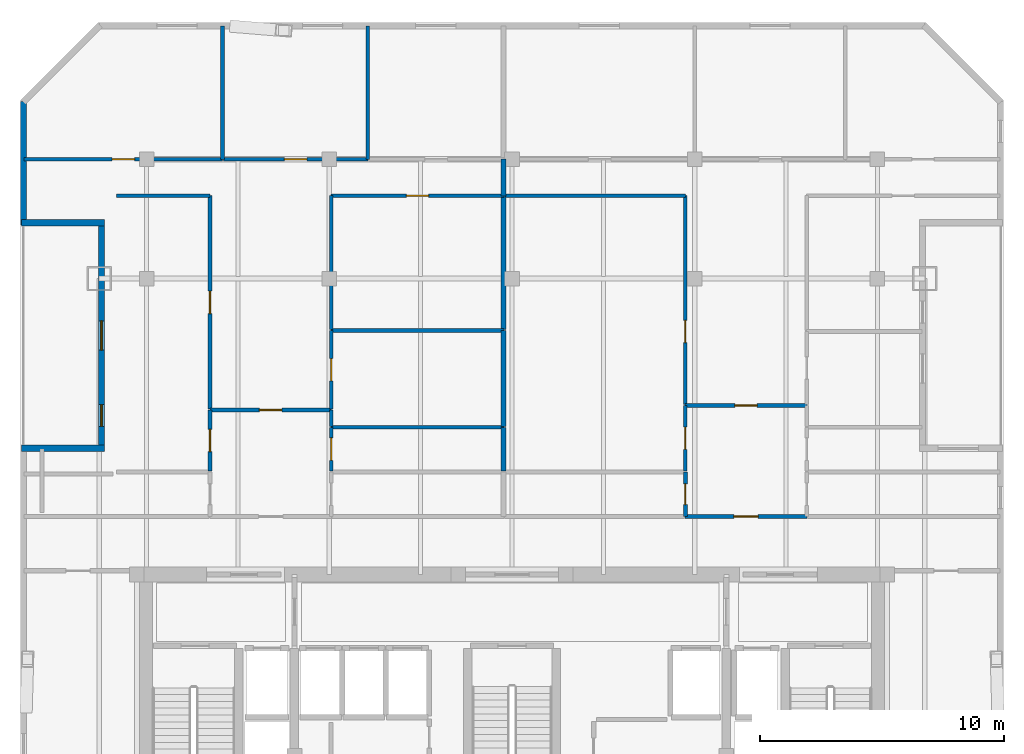
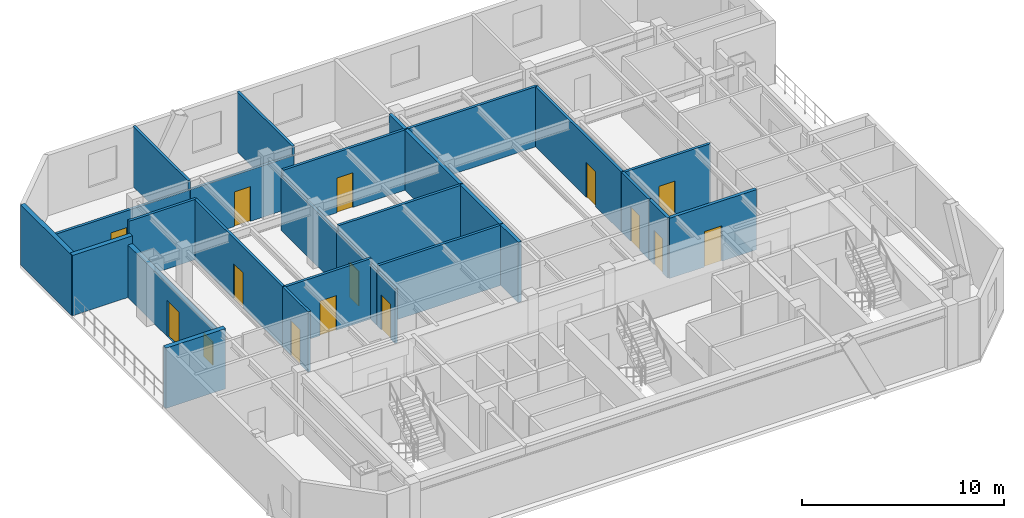
# One storey, part 4 of 7: 29 walls, 14 doors, 1 window, 15 openings.
"""IFC4 building model written with IfcOpenShell, lengths in metres."""

from ifc_helpers import new_model, si_unit, direction, frame, frame_2d, origin, place, context, subcontext, project, spatial, rectangle, extrude, material, layer, layer_set, type_object, element, fill, save


model = new_model("IFC4")

# Units and contexts
model_context = context("Model", 3, precision=1e-05, world=origin(), true_north=direction((0.0, 1.0)))
body_context = subcontext(model_context, "Body", "Model", "MODEL_VIEW")
ifc_project = project(units=[si_unit("LENGTHUNIT", "METRE"), si_unit("AREAUNIT", "SQUARE_METRE"), si_unit("VOLUMEUNIT", "CUBIC_METRE"), si_unit("PLANEANGLEUNIT", "RADIAN"), si_unit("MASSUNIT", "GRAM", prefix="KILO")], contexts=[model_context])

# Site, building, storey
site_placement = place(None, origin())
site = spatial("IfcSite", under=ifc_project, at=site_placement, CompositionType="ELEMENT")
building_placement = place(site_placement, origin())
building = spatial("IfcBuilding", under=site, at=building_placement, Name="Ventersveld Concourse Tower", CompositionType="ELEMENT")
storey_placement = place(building_placement, frame((0.0, 0.0, 292.60009765625)))
storey = spatial("IfcBuildingStorey", under=building, at=storey_placement, Name="L72", CompositionType="ELEMENT", Elevation=292.60009765625)

# Wall, opening, door
ifc_material_1 = material(Name="Fire-rated autoclaved aerated masonry blockwork", Category="masonry")
ifc_layer_1 = layer(ifc_material_1, 0.179931640625)
ifc_layer_set_1 = layer_set([ifc_layer_1], Name="Fire-rated autoclaved aerated masonry blockwork")
wall_type_1 = type_object("IfcWallType", Name="WL-CORR-180", PredefinedType="PARTITIONING", material=ifc_layer_set_1)
wall_1_placement = place(storey_placement, frame((35.862060546875, 13.830078125, 0.0), z_axis=(0.0, 0.0, 1.0), x_axis=(1.0, 0.0, 0.0)))
wall_1 = element("IfcWall", 1, at=wall_1_placement, inside=storey, type_object=wall_type_1, Name="L72 Interior Partition SP-L72-COR-SP-L72-72N2-FOY", PredefinedType="PARTITIONING", context=body_context, shape_type="SweptSolid", body=[
    extrude(rectangle(XDim=4.989990234375, YDim=0.179931640625, at=frame_2d((2.4951171875, 0.0))), origin(), (0.0, 0.0, 1.0), 3.64990234375),
])
opening_1_placement = place(wall_1_placement, frame((1.9951171875, 0.0, 0.0)))
opening_1 = element("IfcOpeningElement", 2, at=opening_1_placement, cuts=wall_1, Name="Opening FD3", PredefinedType="OPENING", context=body_context, shape_type="SweptSolid", body=[
    extrude(rectangle(XDim=1.0, YDim=2.14990234375, at=frame_2d((0.5, 1.074951171875))), frame((0.0, 0.10009765625, 0.0), z_axis=(0.0, -1.0, 0.0), x_axis=(1.0, 0.0, 0.0)), (0.0, 0.0, 1.0), 0.199951171875),
])
ifc_material_2 = material(Name="Solid-core hardwood veneer timber", Category="wood")
door_type_1 = type_object("IfcDoorType", Name="DR-FLAT-100", OperationType="NOTDEFINED", PredefinedType="DOOR", material=ifc_material_2)
door_1_placement = place(opening_1_placement, origin())
door_1 = element("IfcDoor", 3, at=door_1_placement, inside=storey, type_object=door_type_1, Name="L72 Interior Door SP-L72-COR to SP-L72-72N2-FOY (FD-L72-3344)", OperationType="SINGLE_SWING_RIGHT", OverallHeight=2.14990234375, OverallWidth=1.0, PredefinedType="DOOR", context=body_context, shape_type="SweptSolid", body=[
    extrude(rectangle(XDim=1.0, YDim=2.14990234375, at=frame_2d((0.5, 1.074951171875))), frame((0.0, 0.02490234375, 0.0), z_axis=(0.0, -1.0, 0.0), x_axis=(1.0, 0.0, 0.0)), (0.0, 0.0, 1.0), 0.050048828125),
])
fill(opening_1, door_1)

# Walls
ifc_layer_2 = layer(ifc_material_1, 0.199951171875)
ifc_layer_set_2 = layer_set([ifc_layer_2], Name="Fire-rated autoclaved aerated masonry blockwork")
wall_type_2 = type_object("IfcWallType", Name="WL-DEMISE-200", PredefinedType="PARTITIONING", material=ifc_layer_set_2)
wall_2_placement = place(storey_placement, frame((28.40771484375, 26.9951171875, 0.0), z_axis=(0.0, 0.0, 1.0), x_axis=(0.0, 1.0, 0.0)))
element("IfcWall", 4, at=wall_2_placement, inside=storey, type_object=wall_type_2, Name="L72 Interior Partition SP-L72-72N1-LIV-SP-L72-72N2-LIV", PredefinedType="PARTITIONING", context=body_context, shape_type="SweptSolid", body=[
    extrude(rectangle(XDim=1.509765625, YDim=0.199951171875, at=frame_2d((0.7548828125, 0.0))), origin(), (0.0, 0.0, 1.0), 3.64990234375),
])
wall_3_placement = place(storey_placement, frame((28.40771484375, 15.695068359375, 0.0), z_axis=(0.0, 0.0, 1.0), x_axis=(0.0, 1.0, 0.0)))
element("IfcWall", 5, at=wall_3_placement, inside=storey, type_object=wall_type_2, Name="L72 Interior Partition SP-L72-72N1-PANR1-SP-L72-72N2-OFFL0", PredefinedType="PARTITIONING", context=body_context, shape_type="SweptSolid", body=[
    extrude(rectangle(XDim=1.800048828125, YDim=0.199951171875, at=frame_2d((0.89990234375, 0.0))), origin(), (0.0, 0.0, 1.0), 3.64990234375),
])
wall_4_placement = place(storey_placement, frame((28.40771484375, 17.52490234375, 0.0), z_axis=(0.0, 0.0, 1.0), x_axis=(0.0, 1.0, 0.0)))
element("IfcWall", 6, at=wall_4_placement, inside=storey, type_object=wall_type_2, Name="L72 Interior Partition SP-L72-72N1-DENR-SP-L72-72N2-OFFL0", PredefinedType="PARTITIONING", context=body_context, shape_type="SweptSolid", body=[
    extrude(rectangle(XDim=3.948486328125, YDim=0.199951171875, at=frame_2d((1.97412109375, 0.0))), origin(), (0.0, 0.0, 1.0), 3.64990234375),
])
wall_5_placement = place(storey_placement, frame((28.40771484375, 21.50341796875, 0.0), z_axis=(0.0, 0.0, 1.0), x_axis=(0.0, 1.0, 0.0)))
element("IfcWall", 7, at=wall_5_placement, inside=storey, type_object=wall_type_2, Name="L72 Interior Partition SP-L72-72N1-DENS2-SP-L72-72N2-OFFL0", PredefinedType="PARTITIONING", context=body_context, shape_type="SweptSolid", body=[
    extrude(rectangle(XDim=5.461669921875, YDim=0.199951171875, at=frame_2d((2.73095703125, 0.0))), origin(), (0.0, 0.0, 1.0), 3.64990234375),
])

# Wall, opening, door
ifc_material_3 = material(Name="Autoclaved aerated masonry blockwork", Category="masonry")
ifc_layer_3 = layer(ifc_material_3, 0.14990234375)
ifc_layer_set_3 = layer_set([ifc_layer_3], Name="Autoclaved aerated masonry blockwork")
wall_type_3 = type_object("IfcWallType", Name="WL-INT-150", PredefinedType="PARTITIONING", material=ifc_layer_set_3)
wall_6_placement = place(storey_placement, frame((16.347900390625, 18.202880859375, 0.0), z_axis=(0.0, 0.0, 1.0), x_axis=(1.0, 0.0, 0.0)))
wall_6 = element("IfcWall", 8, at=wall_6_placement, inside=storey, type_object=wall_type_3, Name="L72 Interior Partition SP-L72-72N1-FOY-SP-L72-72N1-LIV", PredefinedType="PARTITIONING", context=body_context, shape_type="SweptSolid", body=[
    extrude(rectangle(XDim=4.989990234375, YDim=0.14990234375, at=frame_2d((2.4951171875, 0.0))), origin(), (0.0, 0.0, 1.0), 3.64990234375),
])
opening_2_placement = place(wall_6_placement, frame((2.034912109375, 0.0, 0.0)))
opening_2 = element("IfcOpeningElement", 9, at=opening_2_placement, cuts=wall_6, Name="Opening ID1", PredefinedType="OPENING", context=body_context, shape_type="SweptSolid", body=[
    extrude(rectangle(XDim=0.919921875, YDim=2.10009765625, at=frame_2d((0.4599609375, 1.050048828125))), frame((0.0, 0.0849609375, 0.0), z_axis=(0.0, -1.0, 0.0), x_axis=(1.0, 0.0, 0.0)), (0.0, 0.0, 1.0), 0.169921875),
])
door_type_2 = type_object("IfcDoorType", Name="DR-ROOM-092", OperationType="NOTDEFINED", PredefinedType="DOOR", material=ifc_material_2)
door_2_placement = place(opening_2_placement, origin())
door_2 = element("IfcDoor", 10, at=door_2_placement, inside=storey, type_object=door_type_2, Name="L72 Interior Door SP-L72-72N1-FOY to SP-L72-72N1-LIV (D-L72-3345)", OperationType="SINGLE_SWING_LEFT", OverallHeight=2.10009765625, OverallWidth=0.919921875, PredefinedType="DOOR", context=body_context, shape_type="SweptSolid", body=[
    extrude(rectangle(XDim=0.919921875, YDim=2.10009765625, at=frame_2d((0.4599609375, 1.050048828125))), frame((0.0, 0.02490234375, 0.0), z_axis=(0.0, -1.0, 0.0), x_axis=(1.0, 0.0, 0.0)), (0.0, 0.0, 1.0), 0.050048828125),
])
fill(opening_2, door_2)

wall_7_placement = place(storey_placement, frame((16.352783203125, 15.695068359375, 0.0), z_axis=(0.0, 0.0, 1.0), x_axis=(0.0, 1.0, 0.0)))
wall_7 = element("IfcWall", 11, at=wall_7_placement, inside=storey, type_object=wall_type_3, Name="L72 Interior Partition SP-L72-72N1-FOY-SP-L72-72N1-OFFL0", PredefinedType="PARTITIONING", context=body_context, shape_type="SweptSolid", body=[
    extrude(rectangle(XDim=2.512939453125, YDim=0.14990234375, at=frame_2d((1.25634765625, 0.0))), origin(), (0.0, 0.0, 1.0), 3.64990234375),
])
opening_3_placement = place(wall_7_placement, frame((0.79638671875, 0.0, 0.0)))
opening_3 = element("IfcOpeningElement", 12, at=opening_3_placement, cuts=wall_7, Name="Opening ID1", PredefinedType="OPENING", context=body_context, shape_type="SweptSolid", body=[
    extrude(rectangle(XDim=0.919921875, YDim=2.10009765625, at=frame_2d((0.4599609375, 1.050048828125))), frame((0.0, 0.0849609375, 0.0), z_axis=(0.0, -1.0, 0.0), x_axis=(1.0, 0.0, 0.0)), (0.0, 0.0, 1.0), 0.169921875),
])
door_3_placement = place(opening_3_placement, origin())
door_3 = element("IfcDoor", 13, at=door_3_placement, inside=storey, type_object=door_type_2, Name="L72 Interior Door SP-L72-72N1-FOY to SP-L72-72N1-OFFL0 (D-L72-3347)", OperationType="SINGLE_SWING_LEFT", OverallHeight=2.10009765625, OverallWidth=0.919921875, PredefinedType="DOOR", context=body_context, shape_type="SweptSolid", body=[
    extrude(rectangle(XDim=0.919921875, YDim=2.10009765625, at=frame_2d((0.4599609375, 1.050048828125))), frame((0.0, 0.02490234375, 0.0), z_axis=(0.0, -1.0, 0.0), x_axis=(1.0, 0.0, 0.0)), (0.0, 0.0, 1.0), 0.050048828125),
])
fill(opening_3, door_3)

wall_8_placement = place(storey_placement, frame((21.332763671875, 15.695068359375, 0.0), z_axis=(0.0, 0.0, 1.0), x_axis=(0.0, 1.0, 0.0)))
wall_8 = element("IfcWall", 14, at=wall_8_placement, inside=storey, type_object=wall_type_3, Name="L72 Interior Partition SP-L72-72N1-FOY-SP-L72-72N1-PANR1", PredefinedType="PARTITIONING", context=body_context, shape_type="SweptSolid", body=[
    extrude(rectangle(XDim=1.800048828125, YDim=0.14990234375, at=frame_2d((0.89990234375, 0.0))), origin(), (0.0, 0.0, 1.0), 3.294921875),
])
opening_4_placement = place(wall_8_placement, frame((0.43994140625, 0.0, 0.0)))
opening_4 = element("IfcOpeningElement", 15, at=opening_4_placement, cuts=wall_8, Name="Opening ID1", PredefinedType="OPENING", context=body_context, shape_type="SweptSolid", body=[
    extrude(rectangle(XDim=0.919921875, YDim=2.10009765625, at=frame_2d((0.4599609375, 1.050048828125))), frame((0.0, 0.0849609375, 0.0), z_axis=(0.0, -1.0, 0.0), x_axis=(1.0, 0.0, 0.0)), (0.0, 0.0, 1.0), 0.169921875),
])
door_4_placement = place(opening_4_placement, origin())
door_4 = element("IfcDoor", 16, at=door_4_placement, inside=storey, type_object=door_type_2, Name="L72 Interior Door SP-L72-72N1-FOY to SP-L72-72N1-PANR1 (D-L72-3349)", OperationType="SINGLE_SWING_LEFT", OverallHeight=2.10009765625, OverallWidth=0.919921875, PredefinedType="DOOR", context=body_context, shape_type="SweptSolid", body=[
    extrude(rectangle(XDim=0.919921875, YDim=2.10009765625, at=frame_2d((0.4599609375, 1.050048828125))), frame((0.0, 0.02490234375, 0.0), z_axis=(0.0, -1.0, 0.0), x_axis=(1.0, 0.0, 0.0)), (0.0, 0.0, 1.0), 0.050048828125),
])
fill(opening_4, door_4)

# Wall
wall_9_placement = place(storey_placement, frame((21.332763671875, 17.52490234375, 0.0), z_axis=(0.0, 0.0, 1.0), x_axis=(0.0, 1.0, 0.0)))
element("IfcWall", 17, at=wall_9_placement, inside=storey, type_object=wall_type_3, Name="L72 Interior Partition SP-L72-72N1-FOY-SP-L72-72N1-DENR", PredefinedType="PARTITIONING", context=body_context, shape_type="SweptSolid", body=[
    extrude(rectangle(XDim=0.68310546875, YDim=0.14990234375, at=frame_2d((0.341552734375, 0.0))), origin(), (0.0, 0.0, 1.0), 3.294921875),
])

# Wall, opening, door
wall_10_placement = place(storey_placement, frame((16.352783203125, 18.238037109375, 0.0), z_axis=(0.0, 0.0, 1.0), x_axis=(0.0, 1.0, 0.0)))
wall_10 = element("IfcWall", 18, at=wall_10_placement, inside=storey, type_object=wall_type_3, Name="L72 Interior Partition SP-L72-72N1-LIV-SP-L72-72N1-OFFL0", PredefinedType="PARTITIONING", context=body_context, shape_type="SweptSolid", body=[
    extrude(rectangle(XDim=8.766845703125, YDim=0.14990234375, at=frame_2d((4.38330078125, 0.0))), origin(), (0.0, 0.0, 1.0), 3.64990234375),
])
opening_5_placement = place(wall_10_placement, frame((3.923583984375, 0.0, 0.0)))
opening_5 = element("IfcOpeningElement", 19, at=opening_5_placement, cuts=wall_10, Name="Opening ID1", PredefinedType="OPENING", context=body_context, shape_type="SweptSolid", body=[
    extrude(rectangle(XDim=0.919921875, YDim=2.10009765625, at=frame_2d((0.4599609375, 1.050048828125))), frame((0.0, 0.0849609375, 0.0), z_axis=(0.0, -1.0, 0.0), x_axis=(1.0, 0.0, 0.0)), (0.0, 0.0, 1.0), 0.169921875),
])
door_5_placement = place(opening_5_placement, origin())
door_5 = element("IfcDoor", 20, at=door_5_placement, inside=storey, type_object=door_type_2, Name="L72 Interior Door SP-L72-72N1-LIV to SP-L72-72N1-OFFL0 (D-L72-3350)", OperationType="SINGLE_SWING_RIGHT", OverallHeight=2.10009765625, OverallWidth=0.919921875, PredefinedType="DOOR", context=body_context, shape_type="SweptSolid", body=[
    extrude(rectangle(XDim=0.919921875, YDim=2.10009765625, at=frame_2d((0.4599609375, 1.050048828125))), frame((0.0, 0.02490234375, 0.0), z_axis=(0.0, -1.0, 0.0), x_axis=(1.0, 0.0, 0.0)), (0.0, 0.0, 1.0), 0.050048828125),
])
fill(opening_5, door_5)

# Wall
wall_11_placement = place(storey_placement, frame((12.511474609375, 27.0, 0.0), z_axis=(0.0, 0.0, 1.0), x_axis=(1.0, 0.0, 0.0)))
element("IfcWall", 21, at=wall_11_placement, inside=storey, type_object=wall_type_3, Name="L72 Interior Partition SP-L72-72N1-LIV-SP-L72-72N1-OFFL0", PredefinedType="PARTITIONING", context=body_context, shape_type="SweptSolid", body=[
    extrude(rectangle(XDim=3.846435546875, YDim=0.14990234375, at=frame_2d((1.92333984375, 0.0))), origin(), (0.0, 0.0, 1.0), 3.64990234375),
])

# Wall, opening, door
wall_12_placement = place(storey_placement, frame((21.332763671875, 18.238037109375, 0.0), z_axis=(0.0, 0.0, 1.0), x_axis=(0.0, 1.0, 0.0)))
wall_12 = element("IfcWall", 22, at=wall_12_placement, inside=storey, type_object=wall_type_3, Name="L72 Interior Partition SP-L72-72N1-LIV-SP-L72-72N1-DENR", PredefinedType="PARTITIONING", context=body_context, shape_type="SweptSolid", body=[
    extrude(rectangle(XDim=3.2353515625, YDim=0.14990234375, at=frame_2d((1.61767578125, 0.0))), origin(), (0.0, 0.0, 1.0), 3.294921875),
])
opening_6_placement = place(wall_12_placement, frame((1.15771484375, 0.0, 0.0)))
opening_6 = element("IfcOpeningElement", 23, at=opening_6_placement, cuts=wall_12, Name="Opening ID1", PredefinedType="OPENING", context=body_context, shape_type="SweptSolid", body=[
    extrude(rectangle(XDim=0.919921875, YDim=2.10009765625, at=frame_2d((0.4599609375, 1.050048828125))), frame((0.0, 0.0849609375, 0.0), z_axis=(0.0, -1.0, 0.0), x_axis=(1.0, 0.0, 0.0)), (0.0, 0.0, 1.0), 0.169921875),
])
door_6_placement = place(opening_6_placement, origin())
door_6 = element("IfcDoor", 24, at=door_6_placement, inside=storey, type_object=door_type_2, Name="L72 Interior Door SP-L72-72N1-LIV to SP-L72-72N1-DENR (D-L72-3351)", OperationType="SINGLE_SWING_LEFT", OverallHeight=2.10009765625, OverallWidth=0.919921875, PredefinedType="DOOR", context=body_context, shape_type="SweptSolid", body=[
    extrude(rectangle(XDim=0.919921875, YDim=2.10009765625, at=frame_2d((0.4599609375, 1.050048828125))), frame((0.0, 0.02490234375, 0.0), z_axis=(0.0, -1.0, 0.0), x_axis=(1.0, 0.0, 0.0)), (0.0, 0.0, 1.0), 0.050048828125),
])
fill(opening_6, door_6)

wall_13_placement = place(storey_placement, frame((21.327880859375, 27.0, 0.0), z_axis=(0.0, 0.0, 1.0), x_axis=(1.0, 0.0, 0.0)))
wall_13 = element("IfcWall", 25, at=wall_13_placement, inside=storey, type_object=wall_type_3, Name="L72 Interior Partition SP-L72-72N1-LIV-SP-L72-72N1-DENS2", PredefinedType="PARTITIONING", context=body_context, shape_type="SweptSolid", body=[
    extrude(rectangle(XDim=7.0849609375, YDim=0.14990234375, at=frame_2d((3.54248046875, 0.0))), origin(), (0.0, 0.0, 1.0), 3.64990234375),
])
opening_7_placement = place(wall_13_placement, frame((3.08251953125, 0.0, 0.0)))
opening_7 = element("IfcOpeningElement", 26, at=opening_7_placement, cuts=wall_13, Name="Opening ID1", PredefinedType="OPENING", context=body_context, shape_type="SweptSolid", body=[
    extrude(rectangle(XDim=0.919921875, YDim=2.10009765625, at=frame_2d((0.4599609375, 1.050048828125))), frame((0.0, 0.0849609375, 0.0), z_axis=(0.0, -1.0, 0.0), x_axis=(1.0, 0.0, 0.0)), (0.0, 0.0, 1.0), 0.169921875),
])
door_7_placement = place(opening_7_placement, origin())
door_7 = element("IfcDoor", 27, at=door_7_placement, inside=storey, type_object=door_type_2, Name="L72 Interior Door SP-L72-72N1-LIV to SP-L72-72N1-DENS2 (D-L72-3352)", OperationType="SINGLE_SWING_RIGHT", OverallHeight=2.10009765625, OverallWidth=0.919921875, PredefinedType="DOOR", context=body_context, shape_type="SweptSolid", body=[
    extrude(rectangle(XDim=0.919921875, YDim=2.10009765625, at=frame_2d((0.4599609375, 1.050048828125))), frame((0.0, 0.02490234375, 0.0), z_axis=(0.0, -1.0, 0.0), x_axis=(1.0, 0.0, 0.0)), (0.0, 0.0, 1.0), 0.050048828125),
])
fill(opening_7, door_7)

# Wall
wall_14_placement = place(storey_placement, frame((21.332763671875, 21.50341796875, 0.0), z_axis=(0.0, 0.0, 1.0), x_axis=(0.0, 1.0, 0.0)))
element("IfcWall", 28, at=wall_14_placement, inside=storey, type_object=wall_type_3, Name="L72 Interior Partition SP-L72-72N1-LIV-SP-L72-72N1-DENS2", PredefinedType="PARTITIONING", context=body_context, shape_type="SweptSolid", body=[
    extrude(rectangle(XDim=5.50146484375, YDim=0.14990234375, at=frame_2d((2.750732421875, 0.0))), origin(), (0.0, 0.0, 1.0), 3.294921875),
])

# Wall, opening, door
wall_15_placement = place(storey_placement, frame((8.7158203125, 28.5, 0.0), z_axis=(0.0, 0.0, 1.0), x_axis=(1.0, 0.0, 0.0)))
wall_15 = element("IfcWall", 29, at=wall_15_placement, inside=storey, type_object=wall_type_3, Name="L72 Interior Partition SP-L72-72N1-LIV-SP-L72-72N1-BR1", PredefinedType="PARTITIONING", context=body_context, shape_type="SweptSolid", body=[
    extrude(rectangle(XDim=8.153076171875, YDim=0.14990234375, at=frame_2d((4.07666015625, 0.0))), origin(), (0.0, 0.0, 1.0), 3.11669921875),
])
opening_8_placement = place(wall_15_placement, frame((3.616455078125, 0.0, 0.0)))
opening_8 = element("IfcOpeningElement", 30, at=opening_8_placement, cuts=wall_15, Name="Opening ID1", PredefinedType="OPENING", context=body_context, shape_type="SweptSolid", body=[
    extrude(rectangle(XDim=0.919921875, YDim=2.10009765625, at=frame_2d((0.4599609375, 1.050048828125))), frame((0.0, 0.0849609375, 0.0), z_axis=(0.0, -1.0, 0.0), x_axis=(1.0, 0.0, 0.0)), (0.0, 0.0, 1.0), 0.169921875),
])
door_8_placement = place(opening_8_placement, origin())
door_8 = element("IfcDoor", 31, at=door_8_placement, inside=storey, type_object=door_type_2, Name="L72 Interior Door SP-L72-72N1-LIV to SP-L72-72N1-BR1 (D-L72-3353)", OperationType="SINGLE_SWING_LEFT", OverallHeight=2.10009765625, OverallWidth=0.919921875, PredefinedType="DOOR", context=body_context, shape_type="SweptSolid", body=[
    extrude(rectangle(XDim=0.919921875, YDim=2.10009765625, at=frame_2d((0.4599609375, 1.050048828125))), frame((0.0, 0.02490234375, 0.0), z_axis=(0.0, -1.0, 0.0), x_axis=(1.0, 0.0, 0.0)), (0.0, 0.0, 1.0), 0.050048828125),
])
fill(opening_8, door_8)

wall_16_placement = place(storey_placement, frame((16.898681640625, 28.5, 0.0), z_axis=(0.0, 0.0, 1.0), x_axis=(1.0, 0.0, 0.0)))
wall_16 = element("IfcWall", 32, at=wall_16_placement, inside=storey, type_object=wall_type_3, Name="L72 Interior Partition SP-L72-72N1-LIV-SP-L72-72N1-BR2", PredefinedType="PARTITIONING", context=body_context, shape_type="SweptSolid", body=[
    extrude(rectangle(XDim=5.934814453125, YDim=0.14990234375, at=frame_2d((2.96728515625, 0.0))), origin(), (0.0, 0.0, 1.0), 3.11669921875),
])
opening_9_placement = place(wall_16_placement, frame((2.50732421875, 0.0, 0.0)))
opening_9 = element("IfcOpeningElement", 33, at=opening_9_placement, cuts=wall_16, Name="Opening ID1", PredefinedType="OPENING", context=body_context, shape_type="SweptSolid", body=[
    extrude(rectangle(XDim=0.919921875, YDim=2.10009765625, at=frame_2d((0.4599609375, 1.050048828125))), frame((0.0, 0.0849609375, 0.0), z_axis=(0.0, -1.0, 0.0), x_axis=(1.0, 0.0, 0.0)), (0.0, 0.0, 1.0), 0.169921875),
])
door_9_placement = place(opening_9_placement, origin())
door_9 = element("IfcDoor", 34, at=door_9_placement, inside=storey, type_object=door_type_2, Name="L72 Interior Door SP-L72-72N1-LIV to SP-L72-72N1-BR2 (D-L72-3354)", OperationType="SINGLE_SWING_RIGHT", OverallHeight=2.10009765625, OverallWidth=0.919921875, PredefinedType="DOOR", context=body_context, shape_type="SweptSolid", body=[
    extrude(rectangle(XDim=0.919921875, YDim=2.10009765625, at=frame_2d((0.4599609375, 1.050048828125))), frame((0.0, 0.02490234375, 0.0), z_axis=(0.0, -1.0, 0.0), x_axis=(1.0, 0.0, 0.0)), (0.0, 0.0, 1.0), 0.050048828125),
])
fill(opening_9, door_9)

# Walls
for number, where, z_axis, x_axis, name in (
    (35, (21.327880859375, 17.489990234375, 0.0), (0.0, 0.0, 1.0), (1.0, 0.0, 0.0), "L72 Interior Partition SP-L72-72N1-PANR1-SP-L72-72N1-DENR"),
    (36, (21.327880859375, 21.468505859375, 0.0), (0.0, 0.0, 1.0), (1.0, 0.0, 0.0), "L72 Interior Partition SP-L72-72N1-DENR-SP-L72-72N1-DENS2"),
):
    element("IfcWall", number, at=place(storey_placement, frame(where, z_axis=z_axis, x_axis=x_axis)), inside=storey, type_object=wall_type_3, Name=name, PredefinedType="PARTITIONING", context=body_context, shape_type="SweptSolid", body=[
        extrude(rectangle(XDim=7.0849609375, YDim=0.14990234375, at=frame_2d((3.54248046875, 0.0))), origin(), (0.0, 0.0, 1.0), 3.64990234375),
    ])
for number, where, z_axis, x_axis, name in (
    (37, (16.86376953125, 28.4951171875, 0.0), (0.0, 0.0, 1.0), (0.0, 1.0, 0.0), "L72 Interior Partition SP-L72-72N1-BR1-SP-L72-72N1-BR2"),
    (38, (22.82861328125, 28.4951171875, 0.0), (0.0, 0.0, 1.0), (0.0, 1.0, 0.0), "L72 Interior Partition SP-L72-72N1-BR2-SP-L72-72N1-BR3"),
):
    element("IfcWall", number, at=place(storey_placement, frame(where, z_axis=z_axis, x_axis=x_axis)), inside=storey, type_object=wall_type_3, Name=name, PredefinedType="PARTITIONING", context=body_context, shape_type="SweptSolid", body=[
        extrude(rectangle(XDim=5.470947265625, YDim=0.14990234375, at=frame_2d((2.7353515625, 0.0))), origin(), (0.0, 0.0, 1.0), 3.64990234375),
    ])

# Wall, opening, door
wall_17_placement = place(storey_placement, frame((35.862060546875, 18.39111328125, 0.0), z_axis=(0.0, 0.0, 1.0), x_axis=(1.0, 0.0, 0.0)))
wall_17 = element("IfcWall", 39, at=wall_17_placement, inside=storey, type_object=wall_type_3, Name="L72 Interior Partition SP-L72-72N2-FOY-SP-L72-72N2-LIV", PredefinedType="PARTITIONING", context=body_context, shape_type="SweptSolid", body=[
    extrude(rectangle(XDim=4.989990234375, YDim=0.14990234375, at=frame_2d((2.4951171875, 0.0))), origin(), (0.0, 0.0, 1.0), 3.64990234375),
])
opening_10_placement = place(wall_17_placement, frame((2.034912109375, 0.0, 0.0)))
opening_10 = element("IfcOpeningElement", 40, at=opening_10_placement, cuts=wall_17, Name="Opening ID1", PredefinedType="OPENING", context=body_context, shape_type="SweptSolid", body=[
    extrude(rectangle(XDim=0.919921875, YDim=2.10009765625, at=frame_2d((0.4599609375, 1.050048828125))), frame((0.0, 0.0849609375, 0.0), z_axis=(0.0, -1.0, 0.0), x_axis=(1.0, 0.0, 0.0)), (0.0, 0.0, 1.0), 0.169921875),
])
door_10_placement = place(opening_10_placement, origin())
door_10 = element("IfcDoor", 41, at=door_10_placement, inside=storey, type_object=door_type_2, Name="L72 Interior Door SP-L72-72N2-FOY to SP-L72-72N2-LIV (D-L72-3356)", OperationType="SINGLE_SWING_RIGHT", OverallHeight=2.10009765625, OverallWidth=0.919921875, PredefinedType="DOOR", context=body_context, shape_type="SweptSolid", body=[
    extrude(rectangle(XDim=0.919921875, YDim=2.10009765625, at=frame_2d((0.4599609375, 1.050048828125))), frame((0.0, 0.02490234375, 0.0), z_axis=(0.0, -1.0, 0.0), x_axis=(1.0, 0.0, 0.0)), (0.0, 0.0, 1.0), 0.050048828125),
])
fill(opening_10, door_10)

wall_18_placement = place(storey_placement, frame((35.8671875, 15.695068359375, 0.0), z_axis=(0.0, 0.0, 1.0), x_axis=(0.0, 1.0, 0.0)))
wall_18 = element("IfcWall", 42, at=wall_18_placement, inside=storey, type_object=wall_type_3, Name="L72 Interior Partition SP-L72-72N2-FOY-SP-L72-72N2-OFFL0", PredefinedType="PARTITIONING", context=body_context, shape_type="SweptSolid", body=[
    extrude(rectangle(XDim=2.701171875, YDim=0.14990234375, at=frame_2d((1.3505859375, 0.0))), origin(), (0.0, 0.0, 1.0), 3.64990234375),
])
opening_11_placement = place(wall_18_placement, frame((0.890625, 0.0, 0.0)))
opening_11 = element("IfcOpeningElement", 43, at=opening_11_placement, cuts=wall_18, Name="Opening ID1", PredefinedType="OPENING", context=body_context, shape_type="SweptSolid", body=[
    extrude(rectangle(XDim=0.919921875, YDim=2.10009765625, at=frame_2d((0.4599609375, 1.050048828125))), frame((0.0, 0.0849609375, 0.0), z_axis=(0.0, -1.0, 0.0), x_axis=(1.0, 0.0, 0.0)), (0.0, 0.0, 1.0), 0.169921875),
])
door_11_placement = place(opening_11_placement, origin())
door_11 = element("IfcDoor", 44, at=door_11_placement, inside=storey, type_object=door_type_2, Name="L72 Interior Door SP-L72-72N2-FOY to SP-L72-72N2-OFFL0 (D-L72-3358)", OperationType="SINGLE_SWING_RIGHT", OverallHeight=2.10009765625, OverallWidth=0.919921875, PredefinedType="DOOR", context=body_context, shape_type="SweptSolid", body=[
    extrude(rectangle(XDim=0.919921875, YDim=2.10009765625, at=frame_2d((0.4599609375, 1.050048828125))), frame((0.0, 0.02490234375, 0.0), z_axis=(0.0, -1.0, 0.0), x_axis=(1.0, 0.0, 0.0)), (0.0, 0.0, 1.0), 0.050048828125),
])
fill(opening_11, door_11)

wall_19_placement = place(storey_placement, frame((35.8671875, 18.42626953125, 0.0), z_axis=(0.0, 0.0, 1.0), x_axis=(0.0, 1.0, 0.0)))
wall_19 = element("IfcWall", 45, at=wall_19_placement, inside=storey, type_object=wall_type_3, Name="L72 Interior Partition SP-L72-72N2-LIV-SP-L72-72N2-OFFL0", PredefinedType="PARTITIONING", context=body_context, shape_type="SweptSolid", body=[
    extrude(rectangle(XDim=8.57861328125, YDim=0.14990234375, at=frame_2d((4.289306640625, 0.0))), origin(), (0.0, 0.0, 1.0), 3.64990234375),
])
opening_12_placement = place(wall_19_placement, frame((2.54248046875, 0.0, 0.0)))
opening_12 = element("IfcOpeningElement", 46, at=opening_12_placement, cuts=wall_19, Name="Opening ID1", PredefinedType="OPENING", context=body_context, shape_type="SweptSolid", body=[
    extrude(rectangle(XDim=0.919921875, YDim=2.10009765625, at=frame_2d((0.4599609375, 1.050048828125))), frame((0.0, 0.0849609375, 0.0), z_axis=(0.0, -1.0, 0.0), x_axis=(1.0, 0.0, 0.0)), (0.0, 0.0, 1.0), 0.169921875),
])
door_12_placement = place(opening_12_placement, origin())
door_12 = element("IfcDoor", 47, at=door_12_placement, inside=storey, type_object=door_type_2, Name="L72 Interior Door SP-L72-72N2-LIV to SP-L72-72N2-OFFL0 (D-L72-3361)", OperationType="SINGLE_SWING_LEFT", OverallHeight=2.10009765625, OverallWidth=0.919921875, PredefinedType="DOOR", context=body_context, shape_type="SweptSolid", body=[
    extrude(rectangle(XDim=0.919921875, YDim=2.10009765625, at=frame_2d((0.4599609375, 1.050048828125))), frame((0.0, 0.02490234375, 0.0), z_axis=(0.0, -1.0, 0.0), x_axis=(1.0, 0.0, 0.0)), (0.0, 0.0, 1.0), 0.050048828125),
])
fill(opening_12, door_12)

# Walls
wall_20_placement = place(storey_placement, frame((28.44287109375, 27.0, 0.0), z_axis=(0.0, 0.0, 1.0), x_axis=(1.0, 0.0, 0.0)))
element("IfcWall", 48, at=wall_20_placement, inside=storey, type_object=wall_type_3, Name="L72 Interior Partition SP-L72-72N2-LIV-SP-L72-72N2-OFFL0", PredefinedType="PARTITIONING", context=body_context, shape_type="SweptSolid", body=[
    extrude(rectangle(XDim=7.42919921875, YDim=0.14990234375, at=frame_2d((3.714599609375, 0.0))), origin(), (0.0, 0.0, 1.0), 3.64990234375),
])
ifc_material_4 = material(Name="Precast concrete C45/55", Category="concrete")
ifc_layer_4 = layer(ifc_material_4, 0.260009765625)
ifc_layer_set_4 = layer_set([ifc_layer_4], Name="Precast concrete C45/55")
wall_type_4 = type_object("IfcWallType", Name="WL-PREC-260", PredefinedType="SOLIDWALL", material=ifc_layer_set_4)
wall_21_placement = place(storey_placement, frame((8.6962890625, 30.87548828125, 0.0), z_axis=(0.0, 0.0, 1.0), x_axis=(0.0, -1.0, 0.0)))
element("IfcWall", 49, at=wall_21_placement, inside=storey, type_object=wall_type_4, Name="L72 Highveld Precast Facade Wall E11", PredefinedType="SOLIDWALL", context=body_context, shape_type="SweptSolid", body=[
    extrude(rectangle(XDim=5.07763671875, YDim=0.260009765625, at=frame_2d((2.538818359375, 0.0))), origin(), (0.0, 0.0, 1.0), 3.64990234375),
])
wall_22_placement = place(storey_placement, frame((8.6064453125, 25.8876953125, 0.0), z_axis=(0.0, 0.0, 1.0), x_axis=(1.0, 0.0, 0.0)))
element("IfcWall", 50, at=wall_22_placement, inside=storey, type_object=wall_type_4, Name="L72 Highveld Precast Facade Wall E12", PredefinedType="SOLIDWALL", context=body_context, shape_type="SweptSolid", body=[
    extrude(rectangle(XDim=3.419921875, YDim=0.260009765625, at=frame_2d((1.7099609375, 0.0))), origin(), (0.0, 0.0, 1.0), 3.64990234375),
])

# Wall, openings, door, window
wall_23_placement = place(storey_placement, frame((11.896484375, 25.7578125, 0.0), z_axis=(0.0, 0.0, 1.0), x_axis=(0.0, -1.0, 0.0)))
wall_23 = element("IfcWall", 51, at=wall_23_placement, inside=storey, type_object=wall_type_4, Name="L72 Highveld Precast Facade Wall E13", PredefinedType="SOLIDWALL", context=body_context, shape_type="SweptSolid", body=[
    extrude(rectangle(XDim=9.0, YDim=0.260009765625, at=frame_2d((4.5, 0.0))), origin(), (0.0, 0.0, 1.0), 3.18994140625),
])
opening_13_placement = place(wall_23_placement, frame((3.89990234375, 0.0, 0.0)))
opening_13 = element("IfcOpeningElement", 52, at=opening_13_placement, cuts=wall_23, Name="Opening TD1", PredefinedType="OPENING", context=body_context, shape_type="SweptSolid", body=[
    extrude(rectangle(XDim=1.199951171875, YDim=2.199951171875, at=frame_2d((0.60009765625, 1.10009765625))), frame((0.0, 0.14013671875, 0.0), z_axis=(0.0, -1.0, 0.0), x_axis=(1.0, 0.0, 0.0)), (0.0, 0.0, 1.0), 0.280029296875),
])
opening_14_placement = place(wall_23_placement, frame((7.330078125, 0.0, 0.85009765625)))
opening_14 = element("IfcOpeningElement", 53, at=opening_14_placement, cuts=wall_23, Name="Opening W8", PredefinedType="OPENING", context=body_context, shape_type="SweptSolid", body=[
    extrude(rectangle(XDim=0.89990234375, YDim=1.39990234375, at=frame_2d((0.449951171875, 0.699951171875))), frame((0.0, 0.14013671875, 0.0), z_axis=(0.0, -1.0, 0.0), x_axis=(1.0, 0.0, 0.0)), (0.0, 0.0, 1.0), 0.280029296875),
])
ifc_material_5 = material(Name="Anodised aluminium EN AW-6063-T6", Category="aluminium")
door_type_3 = type_object("IfcDoorType", Name="DR-TERR-120", OperationType="NOTDEFINED", PredefinedType="DOOR", material=ifc_material_5)
door_13_placement = place(opening_13_placement, frame((1.199951171875, 0.0, 0.0), z_axis=(0.0, 0.0, 1.0), x_axis=(-1.0, 0.0, 0.0)))
door_13 = element("IfcDoor", 54, at=door_13_placement, inside=storey, type_object=door_type_3, Name="L72 Stepped Valley Terrace Door TD-L72-01", OperationType="SINGLE_SWING_LEFT", OverallHeight=2.199951171875, OverallWidth=1.199951171875, PredefinedType="DOOR", context=body_context, shape_type="SweptSolid", body=[
    extrude(rectangle(XDim=1.199951171875, YDim=2.199951171875, at=frame_2d((0.60009765625, 1.10009765625))), frame((0.0, 0.02490234375, 0.0), z_axis=(0.0, -1.0, 0.0), x_axis=(1.0, 0.0, 0.0)), (0.0, 0.0, 1.0), 0.050048828125),
])
fill(opening_13, door_13)
ifc_material_6 = material(Name="Tempered acoustic Low-E IGU", Category="glass")
window_type = type_object("IfcWindowType", Name="WIN-090x140", PartitioningType="SINGLE_PANEL", PredefinedType="WINDOW", material=ifc_material_6)
window_placement = place(opening_14_placement, origin())
window = element("IfcWindow", 55, at=window_placement, inside=storey, type_object=window_type, Name="L72 Punched Low-E Window W-1025", OverallHeight=1.39990234375, OverallWidth=0.89990234375, PartitioningType="SINGLE_PANEL", PredefinedType="WINDOW", context=body_context, shape_type="SweptSolid", body=[
    extrude(rectangle(XDim=0.89990234375, YDim=1.39990234375, at=frame_2d((0.449951171875, 0.699951171875))), frame((0.0, 0.030029296875, 0.0), z_axis=(0.0, -1.0, 0.0), x_axis=(1.0, 0.0, 0.0)), (0.0, 0.0, 1.0), 0.06005859375),
])
fill(opening_14, window)

# Wall
wall_24_placement = place(storey_placement, frame((12.0263671875, 16.627685546875, 0.0), z_axis=(0.0, 0.0, 1.0), x_axis=(-1.0, 0.0, 0.0)))
element("IfcWall", 56, at=wall_24_placement, inside=storey, type_object=wall_type_4, Name="L72 Highveld Precast Facade Wall E14", PredefinedType="SOLIDWALL", context=body_context, shape_type="SweptSolid", body=[
    extrude(rectangle(XDim=3.419921875, YDim=0.260009765625, at=frame_2d((1.7099609375, 0.0))), origin(), (0.0, 0.0, 1.0), 3.64990234375),
])

# Wall, opening, door
ifc_layer_5 = layer(ifc_material_3, 0.1650390625)
ifc_layer_set_5 = layer_set([ifc_layer_5], Name="Autoclaved aerated masonry blockwork")
wall_type_5 = type_object("IfcWallType", Name="WL-WET-165", PredefinedType="PLUMBINGWALL", material=ifc_layer_set_5)
wall_25_placement = place(storey_placement, frame((35.8671875, 13.824951171875, 0.0), z_axis=(0.0, 0.0, 1.0), x_axis=(0.0, 1.0, 0.0)))
wall_25 = element("IfcWall", 57, at=wall_25_placement, inside=storey, type_object=wall_type_5, Name="L72 Interior Partition SP-L72-72N2-FOY-SP-L72-72N2-BATH", PredefinedType="PLUMBINGWALL", context=body_context, shape_type="SweptSolid", body=[
    extrude(rectangle(XDim=1.840087890625, YDim=0.1650390625, at=frame_2d((0.919921875, 0.0))), origin(), (0.0, 0.0, 1.0), 3.64990234375),
])
opening_15_placement = place(wall_25_placement, frame((0.4951171875, 0.0, 0.0)))
opening_15 = element("IfcOpeningElement", 58, at=opening_15_placement, cuts=wall_25, Name="Opening ID2", PredefinedType="OPENING", context=body_context, shape_type="SweptSolid", body=[
    extrude(rectangle(XDim=0.85009765625, YDim=2.10009765625, at=frame_2d((0.425048828125, 1.050048828125))), frame((0.0, 0.092529296875, 0.0), z_axis=(0.0, -1.0, 0.0), x_axis=(1.0, 0.0, 0.0)), (0.0, 0.0, 1.0), 0.18505859375),
])
door_type_4 = type_object("IfcDoorType", Name="DR-BATH-085", OperationType="NOTDEFINED", PredefinedType="DOOR", material=ifc_material_2)
door_14_placement = place(opening_15_placement, origin())
door_14 = element("IfcDoor", 59, at=door_14_placement, inside=storey, type_object=door_type_4, Name="L72 Interior Door SP-L72-72N2-FOY to SP-L72-72N2-BATH (D-L72-3357)", OperationType="SINGLE_SWING_LEFT", OverallHeight=2.10009765625, OverallWidth=0.85009765625, PredefinedType="DOOR", context=body_context, shape_type="SweptSolid", body=[
    extrude(rectangle(XDim=0.85009765625, YDim=2.10009765625, at=frame_2d((0.425048828125, 1.050048828125))), frame((0.0, 0.02490234375, 0.0), z_axis=(0.0, -1.0, 0.0), x_axis=(1.0, 0.0, 0.0)), (0.0, 0.0, 1.0), 0.050048828125),
])
fill(opening_15, door_14)

save(model, "model.ifc")
